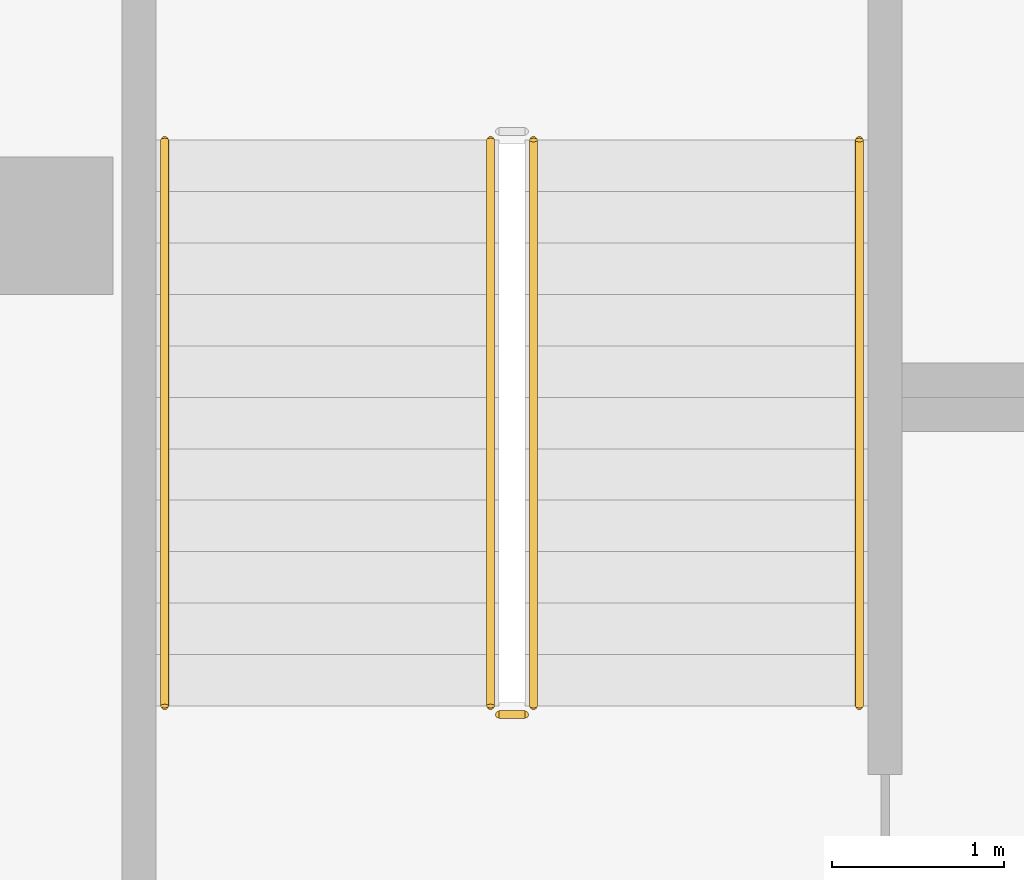
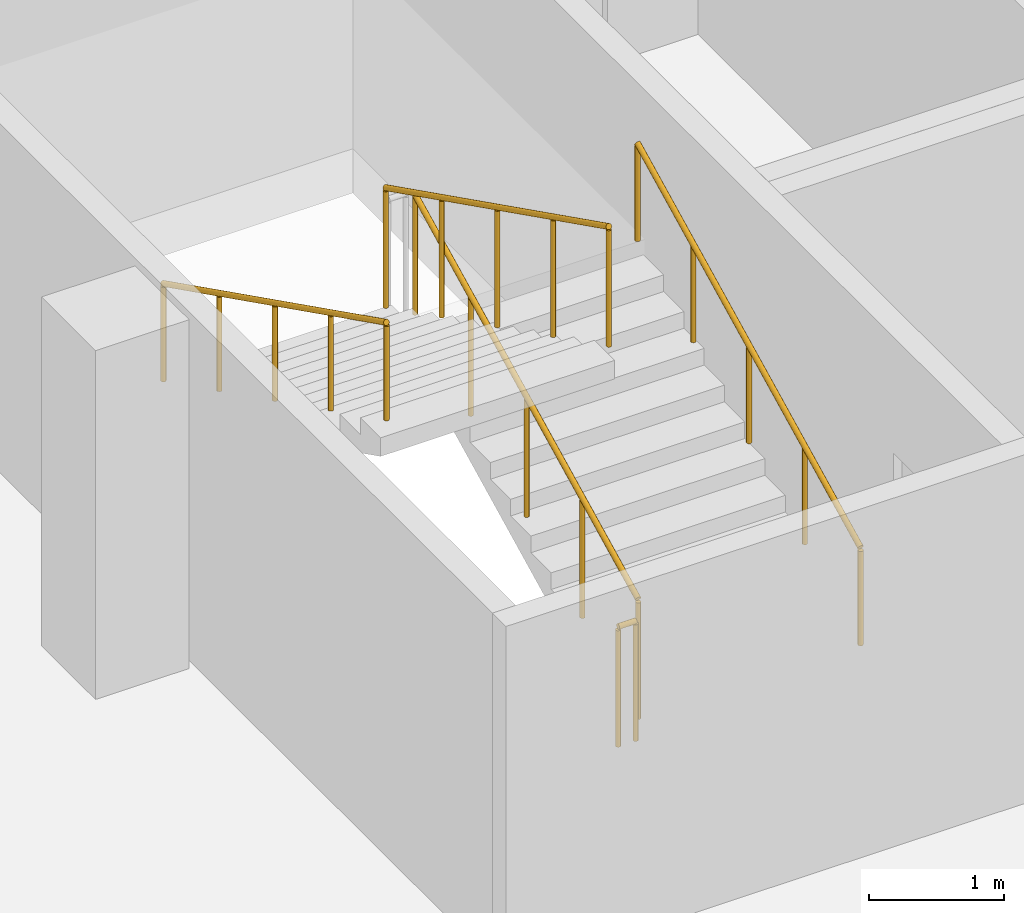
# One storey, part 22 of 37: 5 railings.
"""IFC4 building model written with IfcOpenShell, lengths in metres."""

from ifc_helpers import new_model, si_unit, direction, frame, origin, origin_2d, place, context, subcontext, project, spatial, circle, extrude, material, type_object, element, save


model = new_model("IFC4")

# Units and contexts
model_context = context("Model", 3, precision=1e-05, world=origin(), true_north=direction((0.0, 1.0)))
body_context = subcontext(model_context, "Body", "Model", "MODEL_VIEW")
ifc_project = project(units=[si_unit("LENGTHUNIT", "METRE"), si_unit("AREAUNIT", "SQUARE_METRE"), si_unit("VOLUMEUNIT", "CUBIC_METRE"), si_unit("PLANEANGLEUNIT", "RADIAN"), si_unit("MASSUNIT", "GRAM", prefix="KILO")], contexts=[model_context])

# Site, building, storey
site_placement = place(None, origin())
site = spatial("IfcSite", under=ifc_project, at=site_placement, CompositionType="ELEMENT")
building_placement = place(site_placement, origin())
building = spatial("IfcBuilding", under=site, at=building_placement, Name="Tamra Quay Hotel Tower", CompositionType="ELEMENT")
storey_placement = place(building_placement, frame((0.0, 0.0, -3.60009765625)))
storey = spatial("IfcBuildingStorey", under=building, at=storey_placement, Name="B1", CompositionType="ELEMENT", Elevation=-3.60009765625)

# Railings
ifc_material_1 = material(Name="Basement stair guard 1100")
railing_type_1 = type_object("IfcRailingType", Name="Basement stair guard 1100", PredefinedType="GUARDRAIL", material=ifc_material_1)
railing_1_placement = place(storey_placement, frame((-52.64990234375, -50.800048828125, 0.150146484375)))
element("IfcRailing", 1, at=railing_1_placement, inside=storey, type_object=railing_type_1, Name="BSG", PredefinedType="GUARDRAIL", context=body_context, shape_type="SweptSolid", body=[
    extrude(circle(Radius=0.02392578125, at=origin_2d()), frame((0.0, 0.0, 1.076171875), z_axis=(0.0, 0.894440424912, 0.447187126696), x_axis=(-1.0, 0.0, 0.0)), (0.0, 0.0, 1.0), 3.689453125),
    extrude(circle(Radius=0.02099609375, at=origin_2d()), origin(), (0.0, 0.0, 1.0), 1.052001953125),
    extrude(circle(Radius=0.02099609375, at=origin_2d()), frame((0.0, 0.824951171875, 0.41259765625)), (0.0, 0.0, 1.0), 1.052001953125),
    extrude(circle(Radius=0.02099609375, at=origin_2d()), frame((0.0, 1.64990234375, 0.824951171875)), (0.0, 0.0, 1.0), 1.052001953125),
    extrude(circle(Radius=0.02099609375, at=origin_2d()), frame((0.0, 2.47509765625, 1.2373046875)), (0.0, 0.0, 1.0), 1.052001953125),
    extrude(circle(Radius=0.02099609375, at=origin_2d()), frame((0.0, 3.300048828125, 1.64990234375)), (0.0, 0.0, 1.0), 1.052001953125),
])
railing_2_placement = place(storey_placement, frame((-52.89990234375, -47.5, 1.9501953125)))
element("IfcRailing", 2, at=railing_2_placement, inside=storey, type_object=railing_type_1, Name="BSG", PredefinedType="GUARDRAIL", context=body_context, shape_type="SweptSolid", body=[
    extrude(circle(Radius=0.02392578125, at=origin_2d()), frame((0.0, 0.0, 1.076171875), z_axis=(0.0, -0.894440424912, 0.447187126696), x_axis=(1.0, 0.0, 0.0)), (0.0, 0.0, 1.0), 3.689453125),
    extrude(circle(Radius=0.02099609375, at=origin_2d()), origin(), (0.0, 0.0, 1.0), 1.052001953125),
    extrude(circle(Radius=0.02099609375, at=origin_2d()), frame((0.0, -0.824951171875, 0.41259765625)), (0.0, 0.0, 1.0), 1.052001953125),
    extrude(circle(Radius=0.02099609375, at=origin_2d()), frame((0.0, -1.64990234375, 0.824951171875)), (0.0, 0.0, 1.0), 1.052001953125),
    extrude(circle(Radius=0.02099609375, at=origin_2d()), frame((0.0, -2.47509765625, 1.2373046875)), (0.0, 0.0, 1.0), 1.052001953125),
    extrude(circle(Radius=0.02099609375, at=origin_2d()), frame((0.0, -3.300048828125, 1.64990234375)), (0.0, 0.0, 1.0), 1.052001953125),
])
railing_3_placement = place(storey_placement, frame((-52.699951171875, -50.85009765625, 0.0)))
element("IfcRailing", 3, at=railing_3_placement, inside=storey, type_object=railing_type_1, Name="BSG", PredefinedType="GUARDRAIL", context=body_context, shape_type="SweptSolid", body=[
    extrude(circle(Radius=0.02392578125, at=origin_2d()), frame((0.0, 0.0, 1.076171875), z_axis=(-1.0, 0.0, 0.0), x_axis=(0.0, -1.0, 0.0)), (0.0, 0.0, 1.0), 0.150146484375),
    extrude(circle(Radius=0.02099609375, at=origin_2d()), origin(), (0.0, 0.0, 1.0), 1.052001953125),
    extrude(circle(Radius=0.02099609375, at=origin_2d()), frame((-0.150146484375, 0.0, 0.0)), (0.0, 0.0, 1.0), 1.052001953125),
])
ifc_material_2 = material(Name="Basement stair handrail 900")
railing_type_2 = type_object("IfcRailingType", Name="Basement stair handrail 900", PredefinedType="HANDRAIL", material=ifc_material_2)
railing_4_placement = place(storey_placement, frame((-50.75, -50.800048828125, 0.150146484375)))
element("IfcRailing", 4, at=railing_4_placement, inside=storey, type_object=railing_type_2, Name="BSH", PredefinedType="HANDRAIL", context=body_context, shape_type="SweptSolid", body=[
    extrude(circle(Radius=0.02392578125, at=origin_2d()), frame((0.0, 0.0, 0.8759765625), z_axis=(0.0, 0.894440424912, 0.447187126696), x_axis=(-1.0, 0.0, 0.0)), (0.0, 0.0, 1.0), 3.689453125),
    extrude(circle(Radius=0.02099609375, at=origin_2d()), origin(), (0.0, 0.0, 1.0), 0.851806640625),
    extrude(circle(Radius=0.02099609375, at=origin_2d()), frame((0.0, 0.824951171875, 0.41259765625)), (0.0, 0.0, 1.0), 0.851806640625),
    extrude(circle(Radius=0.02099609375, at=origin_2d()), frame((0.0, 1.64990234375, 0.824951171875)), (0.0, 0.0, 1.0), 0.851806640625),
    extrude(circle(Radius=0.02099609375, at=origin_2d()), frame((0.0, 2.47509765625, 1.2373046875)), (0.0, 0.0, 1.0), 0.851806640625),
    extrude(circle(Radius=0.02099609375, at=origin_2d()), frame((0.0, 3.300048828125, 1.64990234375)), (0.0, 0.0, 1.0), 0.851806640625),
])
railing_5_placement = place(storey_placement, frame((-54.800048828125, -47.5, 1.9501953125)))
element("IfcRailing", 5, at=railing_5_placement, inside=storey, type_object=railing_type_2, Name="BSH", PredefinedType="HANDRAIL", context=body_context, shape_type="SweptSolid", body=[
    extrude(circle(Radius=0.02392578125, at=origin_2d()), frame((0.0, 0.0, 0.8759765625), z_axis=(0.0, -0.894440424912, 0.447187126696), x_axis=(1.0, 0.0, 0.0)), (0.0, 0.0, 1.0), 3.689453125),
    extrude(circle(Radius=0.02099609375, at=origin_2d()), origin(), (0.0, 0.0, 1.0), 0.851806640625),
    extrude(circle(Radius=0.02099609375, at=origin_2d()), frame((0.0, -0.824951171875, 0.41259765625)), (0.0, 0.0, 1.0), 0.851806640625),
    extrude(circle(Radius=0.02099609375, at=origin_2d()), frame((0.0, -1.64990234375, 0.824951171875)), (0.0, 0.0, 1.0), 0.851806640625),
    extrude(circle(Radius=0.02099609375, at=origin_2d()), frame((0.0, -2.47509765625, 1.2373046875)), (0.0, 0.0, 1.0), 0.851806640625),
    extrude(circle(Radius=0.02099609375, at=origin_2d()), frame((0.0, -3.300048828125, 1.64990234375)), (0.0, 0.0, 1.0), 0.851806640625),
])

save(model, "model.ifc")
